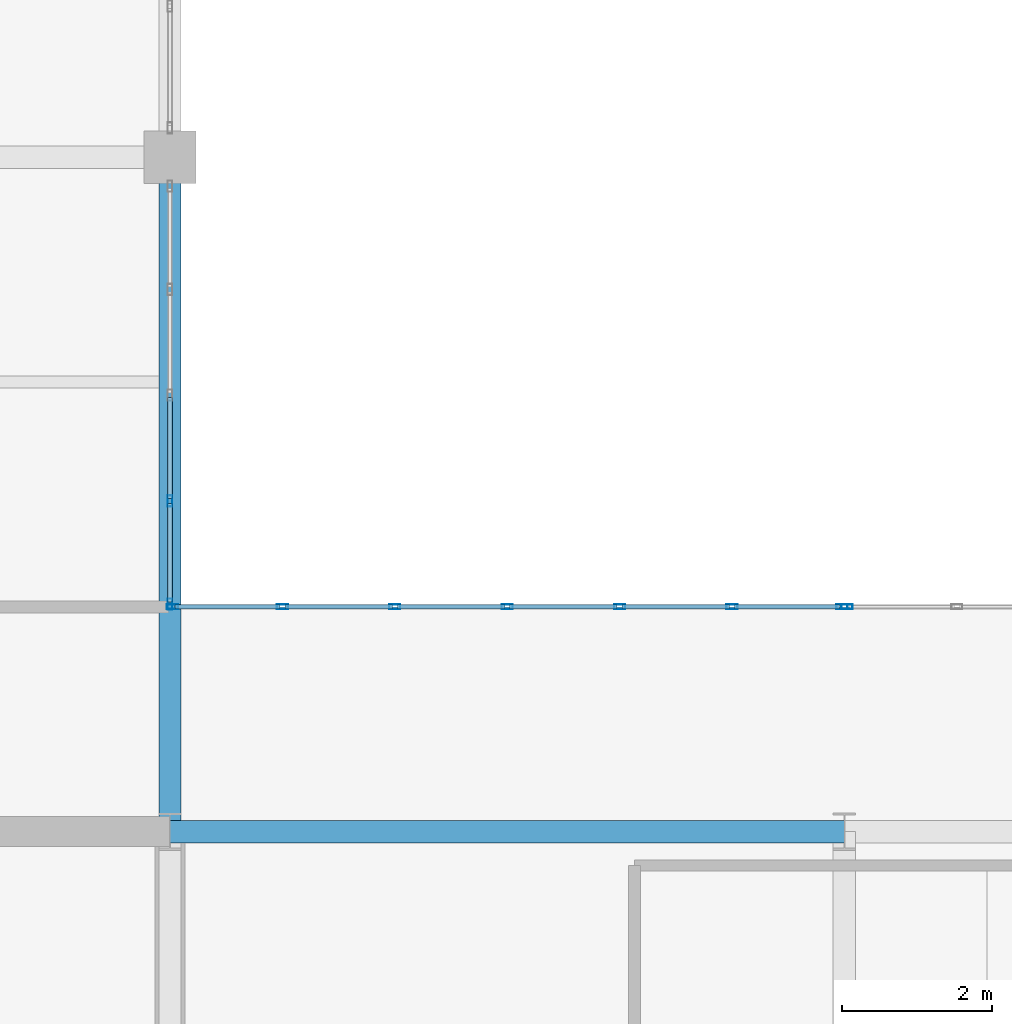
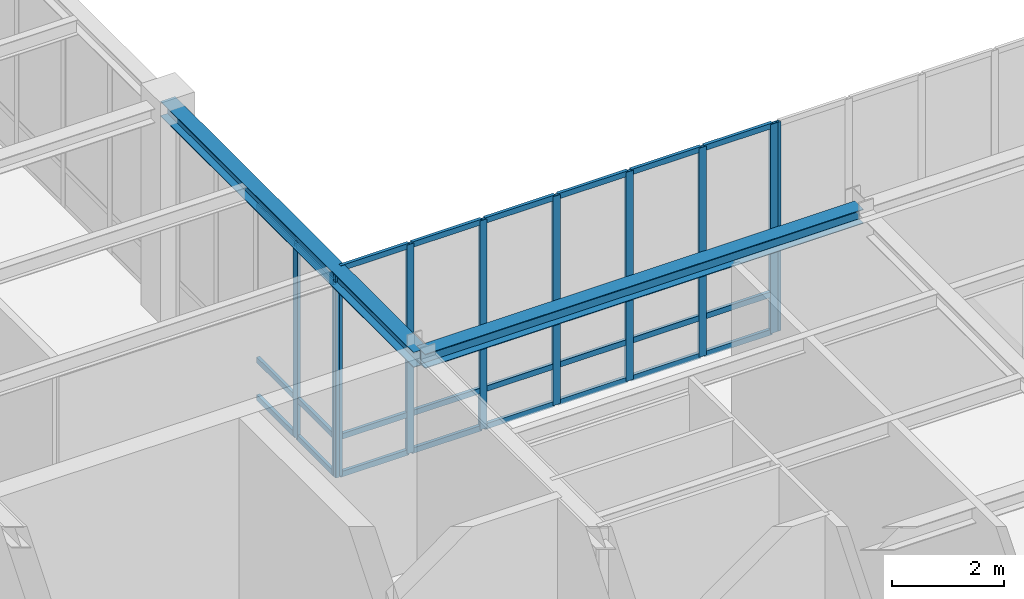
# One storey, part 15 of 98: 34 members, 2 beams, 3 elements without a shape of their own.
"""IFC4 building model written with IfcOpenShell, lengths in metres."""

from ifc_helpers import new_model, si_unit, direction, frame, origin, origin_2d, place, context, subcontext, project, spatial, hollow_rectangle, i_section, extrude, material, material_profile, profile_set, type_object, element, aggregate, save


model = new_model("IFC4")

# Units and contexts
model_context = context("Model", 3, precision=1e-05, world=origin(), true_north=direction((0.0, 1.0)))
body_context = subcontext(model_context, "Body", "Model", "MODEL_VIEW")
ifc_project = project(units=[si_unit("LENGTHUNIT", "METRE"), si_unit("AREAUNIT", "SQUARE_METRE"), si_unit("VOLUMEUNIT", "CUBIC_METRE"), si_unit("PLANEANGLEUNIT", "RADIAN"), si_unit("MASSUNIT", "GRAM", prefix="KILO")], contexts=[model_context])

# Site, building, storey
site_placement = place(None, origin())
site = spatial("IfcSite", under=ifc_project, at=site_placement, CompositionType="ELEMENT")
building_placement = place(site_placement, origin())
building = spatial("IfcBuilding", under=site, at=building_placement, Name="Lykobir Media Centre", CompositionType="ELEMENT")
storey_placement = place(building_placement, frame((0.0, 0.0, 10.199951171875)))
storey = spatial("IfcBuildingStorey", under=building, at=storey_placement, Name="L02", CompositionType="ELEMENT", Elevation=10.199951171875)

# Beam
ifc_material_1 = material(Name="Steel S355", Category="steel")
ifc_material_profile_1 = material_profile(ifc_material_1, i_section(OverallWidth=0.300048828125, OverallDepth=0.330078125, WebThickness=0.009521484375, FlangeThickness=0.0166015625, at=origin_2d()), Name="HEA 340")
ifc_profile_set_1 = profile_set([ifc_material_profile_1], Name="Steel S355")
beam_type_1 = type_object("IfcBeamType", Name="BM-HEA340", PredefinedType="BEAM", material=ifc_profile_set_1)
beam_1_placement = place(storey_placement, frame((36.0, 18.0, 4.39501953125), z_axis=(0.0, 1.0, 0.0), x_axis=(-1.0, 0.0, 0.0)))
element("IfcBeam", 1, at=beam_1_placement, inside=storey, type_object=beam_type_1, Name="Beam BM-L02-0360-0180-0360-0270-1460", PredefinedType="BEAM", context=body_context, shape_type="SweptSolid", body=[
    extrude(i_section(OverallWidth=0.300048828125, OverallDepth=0.330078125, WebThickness=0.009521484375, FlangeThickness=0.0166015625, at=origin_2d()), origin(), (0.0, 0.0, 1.0), 9.0),
])

# Curtain wall, members
ifc_material_2 = material(Name="Anodized Aluminium AW-6060", Category="aluminium")
curtain_wall_type = type_object("IfcCurtainWallType", Name="CW-COURT-A", PredefinedType="NOTDEFINED", material=ifc_material_2)
curtain_wall_1_placement = place(storey_placement, origin())
curtain_wall_1 = element("IfcCurtainWall", 2, at=curtain_wall_1_placement, inside=storey, type_object=curtain_wall_type, Name="Curtain wall CW2-L02-0073", PredefinedType="NOTDEFINED")
ifc_material_profile_2 = material_profile(ifc_material_2, hollow_rectangle(XDim=0.06494140625, YDim=0.14990234375, WallThickness=0.00341796875, at=origin_2d()), Name="ALU MULLION 65x150")
ifc_profile_set_2 = profile_set([ifc_material_profile_2], Name="Anodized Aluminium AW-6060")
member_type_1 = type_object("IfcMemberType", Name="CWM-150", PredefinedType="MULLION", material=ifc_profile_set_2)
member_1_placement = place(storey_placement, frame((36.032470703125, 21.0, 0.0), z_axis=(0.0, 0.0, 1.0), x_axis=(0.0, 1.0, 0.0)))
member_1 = element("IfcMember", 3, at=member_1_placement, type_object=member_type_1, Name="CW2-L02-0073 mullion 1", PredefinedType="MULLION", context=body_context, shape_type="SweptSolid", body=[
    extrude(hollow_rectangle(XDim=0.06494140625, YDim=0.14990234375, WallThickness=0.00341796875, at=origin_2d()), origin(), (0.0, 0.0, 1.0), 4.5400390625),
])
member_2_placement = place(storey_placement, frame((37.5, 21.0, 0.0), z_axis=(0.0, 0.0, 1.0), x_axis=(0.0, 1.0, 0.0)))
member_2 = element("IfcMember", 4, at=member_2_placement, type_object=member_type_1, Name="CW2-L02-0073 mullion 2", PredefinedType="MULLION", context=body_context, shape_type="SweptSolid", body=[
    extrude(hollow_rectangle(XDim=0.06494140625, YDim=0.14990234375, WallThickness=0.00341796875, at=origin_2d()), origin(), (0.0, 0.0, 1.0), 4.5400390625),
])
member_3_placement = place(storey_placement, frame((39.0, 21.0, 0.0), z_axis=(0.0, 0.0, 1.0), x_axis=(0.0, 1.0, 0.0)))
member_3 = element("IfcMember", 5, at=member_3_placement, type_object=member_type_1, Name="CW2-L02-0073 mullion 3", PredefinedType="MULLION", context=body_context, shape_type="SweptSolid", body=[
    extrude(hollow_rectangle(XDim=0.06494140625, YDim=0.14990234375, WallThickness=0.00341796875, at=origin_2d()), origin(), (0.0, 0.0, 1.0), 4.5400390625),
])
member_4_placement = place(storey_placement, frame((40.5, 21.0, 0.0), z_axis=(0.0, 0.0, 1.0), x_axis=(0.0, 1.0, 0.0)))
member_4 = element("IfcMember", 6, at=member_4_placement, type_object=member_type_1, Name="CW2-L02-0073 mullion 4", PredefinedType="MULLION", context=body_context, shape_type="SweptSolid", body=[
    extrude(hollow_rectangle(XDim=0.06494140625, YDim=0.14990234375, WallThickness=0.00341796875, at=origin_2d()), origin(), (0.0, 0.0, 1.0), 4.5400390625),
])
member_5_placement = place(storey_placement, frame((42.0, 21.0, 0.0), z_axis=(0.0, 0.0, 1.0), x_axis=(0.0, 1.0, 0.0)))
member_5 = element("IfcMember", 7, at=member_5_placement, type_object=member_type_1, Name="CW2-L02-0073 mullion 5", PredefinedType="MULLION", context=body_context, shape_type="SweptSolid", body=[
    extrude(hollow_rectangle(XDim=0.06494140625, YDim=0.14990234375, WallThickness=0.00341796875, at=origin_2d()), origin(), (0.0, 0.0, 1.0), 4.5400390625),
])
member_6_placement = place(storey_placement, frame((43.5, 21.0, 0.0), z_axis=(0.0, 0.0, 1.0), x_axis=(0.0, 1.0, 0.0)))
member_6 = element("IfcMember", 8, at=member_6_placement, type_object=member_type_1, Name="CW2-L02-0073 mullion 6", PredefinedType="MULLION", context=body_context, shape_type="SweptSolid", body=[
    extrude(hollow_rectangle(XDim=0.06494140625, YDim=0.14990234375, WallThickness=0.00341796875, at=origin_2d()), origin(), (0.0, 0.0, 1.0), 4.5400390625),
])
member_7_placement = place(storey_placement, frame((44.967529296875, 21.0, 0.0), z_axis=(0.0, 0.0, 1.0), x_axis=(0.0, 1.0, 0.0)))
member_7 = element("IfcMember", 9, at=member_7_placement, type_object=member_type_1, Name="CW2-L02-0073 mullion 7", PredefinedType="MULLION", context=body_context, shape_type="SweptSolid", body=[
    extrude(hollow_rectangle(XDim=0.06494140625, YDim=0.14990234375, WallThickness=0.00341796875, at=origin_2d()), origin(), (0.0, 0.0, 1.0), 4.5400390625),
])

# Curtain wall, member
curtain_wall_2_placement = place(storey_placement, origin())
curtain_wall_2 = element("IfcCurtainWall", 10, at=curtain_wall_2_placement, inside=storey, type_object=curtain_wall_type, Name="Curtain wall CW2-L02-0074", PredefinedType="NOTDEFINED")
member_8_placement = place(storey_placement, frame((45.032470703125, 21.0, 0.0), z_axis=(0.0, 0.0, 1.0), x_axis=(0.0, 1.0, 0.0)))
member_8 = element("IfcMember", 11, at=member_8_placement, type_object=member_type_1, Name="CW2-L02-0074 mullion 1", PredefinedType="MULLION", context=body_context, shape_type="SweptSolid", body=[
    extrude(hollow_rectangle(XDim=0.06494140625, YDim=0.14990234375, WallThickness=0.00341796875, at=origin_2d()), origin(), (0.0, 0.0, 1.0), 4.5400390625),
])
aggregate(curtain_wall_2, [member_8])

# Curtain wall, members
curtain_wall_3_placement = place(storey_placement, origin())
curtain_wall_3 = element("IfcCurtainWall", 12, at=curtain_wall_3_placement, inside=storey, type_object=curtain_wall_type, Name="Curtain wall CW2-L02-0077", PredefinedType="NOTDEFINED")
member_9_placement = place(storey_placement, frame((36.0, 22.4111328125, 0.0), z_axis=(0.0, 0.0, 1.0), x_axis=(1.0, 0.0, 0.0)))
member_9 = element("IfcMember", 13, at=member_9_placement, type_object=member_type_1, Name="CW2-L02-0077 mullion 4", PredefinedType="MULLION", context=body_context, shape_type="SweptSolid", body=[
    extrude(hollow_rectangle(XDim=0.06494140625, YDim=0.14990234375, WallThickness=0.00341796875, at=origin_2d()), origin(), (0.0, 0.0, 1.0), 4.215087890625),
])
member_10_placement = place(storey_placement, frame((36.0, 21.032470703125, 0.0), z_axis=(0.0, 0.0, 1.0), x_axis=(1.0, 0.0, 0.0)))
member_10 = element("IfcMember", 14, at=member_10_placement, type_object=member_type_1, Name="CW2-L02-0077 mullion 5", PredefinedType="MULLION", context=body_context, shape_type="SweptSolid", body=[
    extrude(hollow_rectangle(XDim=0.06494140625, YDim=0.14990234375, WallThickness=0.00341796875, at=origin_2d()), origin(), (0.0, 0.0, 1.0), 4.215087890625),
])

# Member
ifc_material_profile_3 = material_profile(ifc_material_2, hollow_rectangle(XDim=0.06494140625, YDim=0.1201171875, WallThickness=0.0029296875, at=origin_2d()), Name="ALU TRANSOM 65x120")
ifc_profile_set_3 = profile_set([ifc_material_profile_3], Name="Anodized Aluminium AW-6060")
member_type_2 = type_object("IfcMemberType", Name="CWT-120", PredefinedType="USERDEFINED", material=ifc_profile_set_3)
member_11_placement = place(storey_placement, frame((36.06494140625, 21.0, 0.032470703125), z_axis=(1.0, 0.0, 0.0), x_axis=(0.0, 1.0, 0.0)))
member_11 = element("IfcMember", 15, at=member_11_placement, type_object=member_type_2, Name="CW2-L02-0073 transom 1.1", ObjectType="TRANSOM", PredefinedType="USERDEFINED", context=body_context, shape_type="SweptSolid", body=[
    extrude(hollow_rectangle(XDim=0.06494140625, YDim=0.1201171875, WallThickness=0.0029296875, at=origin_2d()), origin(), (0.0, 0.0, 1.0), 1.402587890625),
])

member_12_placement = place(storey_placement, frame((36.06494140625, 21.0, 0.85009765625), z_axis=(1.0, 0.0, 0.0), x_axis=(0.0, 1.0, 0.0)))
member_12 = element("IfcMember", 16, at=member_12_placement, type_object=member_type_2, Name="CW2-L02-0073 transom 1.2", ObjectType="TRANSOM", PredefinedType="USERDEFINED", context=body_context, shape_type="SweptSolid", body=[
    extrude(hollow_rectangle(XDim=0.06494140625, YDim=0.1201171875, WallThickness=0.0029296875, at=origin_2d()), origin(), (0.0, 0.0, 1.0), 1.402587890625),
])

member_13_placement = place(storey_placement, frame((36.06494140625, 21.0, 4.507568359375), z_axis=(1.0, 0.0, 0.0), x_axis=(0.0, 1.0, 0.0)))
member_13 = element("IfcMember", 17, at=member_13_placement, type_object=member_type_2, Name="CW2-L02-0073 transom 1.3", ObjectType="TRANSOM", PredefinedType="USERDEFINED", context=body_context, shape_type="SweptSolid", body=[
    extrude(hollow_rectangle(XDim=0.06494140625, YDim=0.1201171875, WallThickness=0.0029296875, at=origin_2d()), origin(), (0.0, 0.0, 1.0), 1.402587890625),
])

member_14_placement = place(storey_placement, frame((37.532470703125, 21.0, 0.032470703125), z_axis=(1.0, 0.0, 0.0), x_axis=(0.0, 1.0, 0.0)))
member_14 = element("IfcMember", 18, at=member_14_placement, type_object=member_type_2, Name="CW2-L02-0073 transom 2.1", ObjectType="TRANSOM", PredefinedType="USERDEFINED", context=body_context, shape_type="SweptSolid", body=[
    extrude(hollow_rectangle(XDim=0.06494140625, YDim=0.1201171875, WallThickness=0.0029296875, at=origin_2d()), origin(), (0.0, 0.0, 1.0), 1.43505859375),
])

member_15_placement = place(storey_placement, frame((37.532470703125, 21.0, 0.85009765625), z_axis=(1.0, 0.0, 0.0), x_axis=(0.0, 1.0, 0.0)))
member_15 = element("IfcMember", 19, at=member_15_placement, type_object=member_type_2, Name="CW2-L02-0073 transom 2.2", ObjectType="TRANSOM", PredefinedType="USERDEFINED", context=body_context, shape_type="SweptSolid", body=[
    extrude(hollow_rectangle(XDim=0.06494140625, YDim=0.1201171875, WallThickness=0.0029296875, at=origin_2d()), origin(), (0.0, 0.0, 1.0), 1.43505859375),
])

member_16_placement = place(storey_placement, frame((37.532470703125, 21.0, 4.507568359375), z_axis=(1.0, 0.0, 0.0), x_axis=(0.0, 1.0, 0.0)))
member_16 = element("IfcMember", 20, at=member_16_placement, type_object=member_type_2, Name="CW2-L02-0073 transom 2.3", ObjectType="TRANSOM", PredefinedType="USERDEFINED", context=body_context, shape_type="SweptSolid", body=[
    extrude(hollow_rectangle(XDim=0.06494140625, YDim=0.1201171875, WallThickness=0.0029296875, at=origin_2d()), origin(), (0.0, 0.0, 1.0), 1.43505859375),
])

member_17_placement = place(storey_placement, frame((39.032470703125, 21.0, 0.032470703125), z_axis=(1.0, 0.0, 0.0), x_axis=(0.0, 1.0, 0.0)))
member_17 = element("IfcMember", 21, at=member_17_placement, type_object=member_type_2, Name="CW2-L02-0073 transom 3.1", ObjectType="TRANSOM", PredefinedType="USERDEFINED", context=body_context, shape_type="SweptSolid", body=[
    extrude(hollow_rectangle(XDim=0.06494140625, YDim=0.1201171875, WallThickness=0.0029296875, at=origin_2d()), origin(), (0.0, 0.0, 1.0), 1.43505859375),
])

member_18_placement = place(storey_placement, frame((39.032470703125, 21.0, 0.85009765625), z_axis=(1.0, 0.0, 0.0), x_axis=(0.0, 1.0, 0.0)))
member_18 = element("IfcMember", 22, at=member_18_placement, type_object=member_type_2, Name="CW2-L02-0073 transom 3.2", ObjectType="TRANSOM", PredefinedType="USERDEFINED", context=body_context, shape_type="SweptSolid", body=[
    extrude(hollow_rectangle(XDim=0.06494140625, YDim=0.1201171875, WallThickness=0.0029296875, at=origin_2d()), origin(), (0.0, 0.0, 1.0), 1.43505859375),
])

member_19_placement = place(storey_placement, frame((39.032470703125, 21.0, 4.507568359375), z_axis=(1.0, 0.0, 0.0), x_axis=(0.0, 1.0, 0.0)))
member_19 = element("IfcMember", 23, at=member_19_placement, type_object=member_type_2, Name="CW2-L02-0073 transom 3.3", ObjectType="TRANSOM", PredefinedType="USERDEFINED", context=body_context, shape_type="SweptSolid", body=[
    extrude(hollow_rectangle(XDim=0.06494140625, YDim=0.1201171875, WallThickness=0.0029296875, at=origin_2d()), origin(), (0.0, 0.0, 1.0), 1.43505859375),
])

member_20_placement = place(storey_placement, frame((40.532470703125, 21.0, 0.032470703125), z_axis=(1.0, 0.0, 0.0), x_axis=(0.0, 1.0, 0.0)))
member_20 = element("IfcMember", 24, at=member_20_placement, type_object=member_type_2, Name="CW2-L02-0073 transom 4.1", ObjectType="TRANSOM", PredefinedType="USERDEFINED", context=body_context, shape_type="SweptSolid", body=[
    extrude(hollow_rectangle(XDim=0.06494140625, YDim=0.1201171875, WallThickness=0.0029296875, at=origin_2d()), origin(), (0.0, 0.0, 1.0), 1.43505859375),
])

member_21_placement = place(storey_placement, frame((40.532470703125, 21.0, 0.85009765625), z_axis=(1.0, 0.0, 0.0), x_axis=(0.0, 1.0, 0.0)))
member_21 = element("IfcMember", 25, at=member_21_placement, type_object=member_type_2, Name="CW2-L02-0073 transom 4.2", ObjectType="TRANSOM", PredefinedType="USERDEFINED", context=body_context, shape_type="SweptSolid", body=[
    extrude(hollow_rectangle(XDim=0.06494140625, YDim=0.1201171875, WallThickness=0.0029296875, at=origin_2d()), origin(), (0.0, 0.0, 1.0), 1.43505859375),
])

member_22_placement = place(storey_placement, frame((40.532470703125, 21.0, 4.507568359375), z_axis=(1.0, 0.0, 0.0), x_axis=(0.0, 1.0, 0.0)))
member_22 = element("IfcMember", 26, at=member_22_placement, type_object=member_type_2, Name="CW2-L02-0073 transom 4.3", ObjectType="TRANSOM", PredefinedType="USERDEFINED", context=body_context, shape_type="SweptSolid", body=[
    extrude(hollow_rectangle(XDim=0.06494140625, YDim=0.1201171875, WallThickness=0.0029296875, at=origin_2d()), origin(), (0.0, 0.0, 1.0), 1.43505859375),
])

member_23_placement = place(storey_placement, frame((42.032470703125, 21.0, 0.032470703125), z_axis=(1.0, 0.0, 0.0), x_axis=(0.0, 1.0, 0.0)))
member_23 = element("IfcMember", 27, at=member_23_placement, type_object=member_type_2, Name="CW2-L02-0073 transom 5.1", ObjectType="TRANSOM", PredefinedType="USERDEFINED", context=body_context, shape_type="SweptSolid", body=[
    extrude(hollow_rectangle(XDim=0.06494140625, YDim=0.1201171875, WallThickness=0.0029296875, at=origin_2d()), origin(), (0.0, 0.0, 1.0), 1.43505859375),
])

member_24_placement = place(storey_placement, frame((42.032470703125, 21.0, 0.85009765625), z_axis=(1.0, 0.0, 0.0), x_axis=(0.0, 1.0, 0.0)))
member_24 = element("IfcMember", 28, at=member_24_placement, type_object=member_type_2, Name="CW2-L02-0073 transom 5.2", ObjectType="TRANSOM", PredefinedType="USERDEFINED", context=body_context, shape_type="SweptSolid", body=[
    extrude(hollow_rectangle(XDim=0.06494140625, YDim=0.1201171875, WallThickness=0.0029296875, at=origin_2d()), origin(), (0.0, 0.0, 1.0), 1.43505859375),
])

member_25_placement = place(storey_placement, frame((42.032470703125, 21.0, 4.507568359375), z_axis=(1.0, 0.0, 0.0), x_axis=(0.0, 1.0, 0.0)))
member_25 = element("IfcMember", 29, at=member_25_placement, type_object=member_type_2, Name="CW2-L02-0073 transom 5.3", ObjectType="TRANSOM", PredefinedType="USERDEFINED", context=body_context, shape_type="SweptSolid", body=[
    extrude(hollow_rectangle(XDim=0.06494140625, YDim=0.1201171875, WallThickness=0.0029296875, at=origin_2d()), origin(), (0.0, 0.0, 1.0), 1.43505859375),
])

member_26_placement = place(storey_placement, frame((43.532470703125, 21.0, 0.032470703125), z_axis=(1.0, 0.0, 0.0), x_axis=(0.0, 1.0, 0.0)))
member_26 = element("IfcMember", 30, at=member_26_placement, type_object=member_type_2, Name="CW2-L02-0073 transom 6.1", ObjectType="TRANSOM", PredefinedType="USERDEFINED", context=body_context, shape_type="SweptSolid", body=[
    extrude(hollow_rectangle(XDim=0.06494140625, YDim=0.1201171875, WallThickness=0.0029296875, at=origin_2d()), origin(), (0.0, 0.0, 1.0), 1.402587890625),
])

member_27_placement = place(storey_placement, frame((43.532470703125, 21.0, 0.85009765625), z_axis=(1.0, 0.0, 0.0), x_axis=(0.0, 1.0, 0.0)))
member_27 = element("IfcMember", 31, at=member_27_placement, type_object=member_type_2, Name="CW2-L02-0073 transom 6.2", ObjectType="TRANSOM", PredefinedType="USERDEFINED", context=body_context, shape_type="SweptSolid", body=[
    extrude(hollow_rectangle(XDim=0.06494140625, YDim=0.1201171875, WallThickness=0.0029296875, at=origin_2d()), origin(), (0.0, 0.0, 1.0), 1.402587890625),
])

member_28_placement = place(storey_placement, frame((43.532470703125, 21.0, 4.507568359375), z_axis=(1.0, 0.0, 0.0), x_axis=(0.0, 1.0, 0.0)))
member_28 = element("IfcMember", 32, at=member_28_placement, type_object=member_type_2, Name="CW2-L02-0073 transom 6.3", ObjectType="TRANSOM", PredefinedType="USERDEFINED", context=body_context, shape_type="SweptSolid", body=[
    extrude(hollow_rectangle(XDim=0.06494140625, YDim=0.1201171875, WallThickness=0.0029296875, at=origin_2d()), origin(), (0.0, 0.0, 1.0), 1.402587890625),
])

aggregate(curtain_wall_1, [member_1, member_2, member_3, member_4, member_5, member_6, member_7, member_11, member_12, member_13, member_14, member_15, member_16, member_17, member_18, member_19, member_20, member_21, member_22, member_23, member_24, member_25, member_26, member_27, member_28])

member_29_placement = place(storey_placement, frame((36.0, 23.7900390625, 0.032470703125), z_axis=(0.0, -1.0, 0.0), x_axis=(1.0, 0.0, 0.0)))
member_29 = element("IfcMember", 33, at=member_29_placement, type_object=member_type_2, Name="CW2-L02-0077 transom 3.1", ObjectType="TRANSOM", PredefinedType="USERDEFINED", context=body_context, shape_type="SweptSolid", body=[
    extrude(hollow_rectangle(XDim=0.06494140625, YDim=0.1201171875, WallThickness=0.0029296875, at=origin_2d()), origin(), (0.0, 0.0, 1.0), 1.34619140625),
])

member_30_placement = place(storey_placement, frame((36.0, 23.7900390625, 0.85009765625), z_axis=(0.0, -1.0, 0.0), x_axis=(1.0, 0.0, 0.0)))
member_30 = element("IfcMember", 34, at=member_30_placement, type_object=member_type_2, Name="CW2-L02-0077 transom 3.2", ObjectType="TRANSOM", PredefinedType="USERDEFINED", context=body_context, shape_type="SweptSolid", body=[
    extrude(hollow_rectangle(XDim=0.06494140625, YDim=0.1201171875, WallThickness=0.0029296875, at=origin_2d()), origin(), (0.0, 0.0, 1.0), 1.34619140625),
])

member_31_placement = place(storey_placement, frame((36.0, 23.7900390625, 4.1826171875), z_axis=(0.0, -1.0, 0.0), x_axis=(1.0, 0.0, 0.0)))
member_31 = element("IfcMember", 35, at=member_31_placement, type_object=member_type_2, Name="CW2-L02-0077 transom 3.3", ObjectType="TRANSOM", PredefinedType="USERDEFINED", context=body_context, shape_type="SweptSolid", body=[
    extrude(hollow_rectangle(XDim=0.06494140625, YDim=0.1201171875, WallThickness=0.0029296875, at=origin_2d()), origin(), (0.0, 0.0, 1.0), 1.34619140625),
])

member_32_placement = place(storey_placement, frame((36.0, 22.37890625, 0.032470703125), z_axis=(0.0, -1.0, 0.0), x_axis=(1.0, 0.0, 0.0)))
member_32 = element("IfcMember", 36, at=member_32_placement, type_object=member_type_2, Name="CW2-L02-0077 transom 4.1", ObjectType="TRANSOM", PredefinedType="USERDEFINED", context=body_context, shape_type="SweptSolid", body=[
    extrude(hollow_rectangle(XDim=0.06494140625, YDim=0.1201171875, WallThickness=0.0029296875, at=origin_2d()), origin(), (0.0, 0.0, 1.0), 1.31396484375),
])

member_33_placement = place(storey_placement, frame((36.0, 22.37890625, 0.85009765625), z_axis=(0.0, -1.0, 0.0), x_axis=(1.0, 0.0, 0.0)))
member_33 = element("IfcMember", 37, at=member_33_placement, type_object=member_type_2, Name="CW2-L02-0077 transom 4.2", ObjectType="TRANSOM", PredefinedType="USERDEFINED", context=body_context, shape_type="SweptSolid", body=[
    extrude(hollow_rectangle(XDim=0.06494140625, YDim=0.1201171875, WallThickness=0.0029296875, at=origin_2d()), origin(), (0.0, 0.0, 1.0), 1.31396484375),
])

member_34_placement = place(storey_placement, frame((36.0, 22.37890625, 4.1826171875), z_axis=(0.0, -1.0, 0.0), x_axis=(1.0, 0.0, 0.0)))
member_34 = element("IfcMember", 38, at=member_34_placement, type_object=member_type_2, Name="CW2-L02-0077 transom 4.3", ObjectType="TRANSOM", PredefinedType="USERDEFINED", context=body_context, shape_type="SweptSolid", body=[
    extrude(hollow_rectangle(XDim=0.06494140625, YDim=0.1201171875, WallThickness=0.0029296875, at=origin_2d()), origin(), (0.0, 0.0, 1.0), 1.31396484375),
])

aggregate(curtain_wall_3, [member_9, member_10, member_29, member_30, member_31, member_32, member_33, member_34])

# Beam
ifc_material_profile_4 = material_profile(ifc_material_1, i_section(OverallWidth=0.300048828125, OverallDepth=0.31005859375, WebThickness=0.009033203125, FlangeThickness=0.015380859375, at=origin_2d()), Name="HEA 320")
ifc_profile_set_4 = profile_set([ifc_material_profile_4], Name="Steel S355")
beam_type_2 = type_object("IfcBeamType", Name="SP-HEA320", PredefinedType="SPANDREL", material=ifc_profile_set_4)
beam_2_placement = place(storey_placement, frame((36.0, 18.0, 4.405029296875), z_axis=(1.0, 0.0, 0.0), x_axis=(0.0, 1.0, 0.0)))
element("IfcBeam", 39, at=beam_2_placement, inside=storey, type_object=beam_type_2, Name="Beam BM-L02-0360-0180-0450-0180-1460", PredefinedType="SPANDREL", context=body_context, shape_type="SweptSolid", body=[
    extrude(i_section(OverallWidth=0.300048828125, OverallDepth=0.31005859375, WebThickness=0.009033203125, FlangeThickness=0.015380859375, at=origin_2d()), origin(), (0.0, 0.0, 1.0), 9.0),
])

save(model, "model.ifc")
